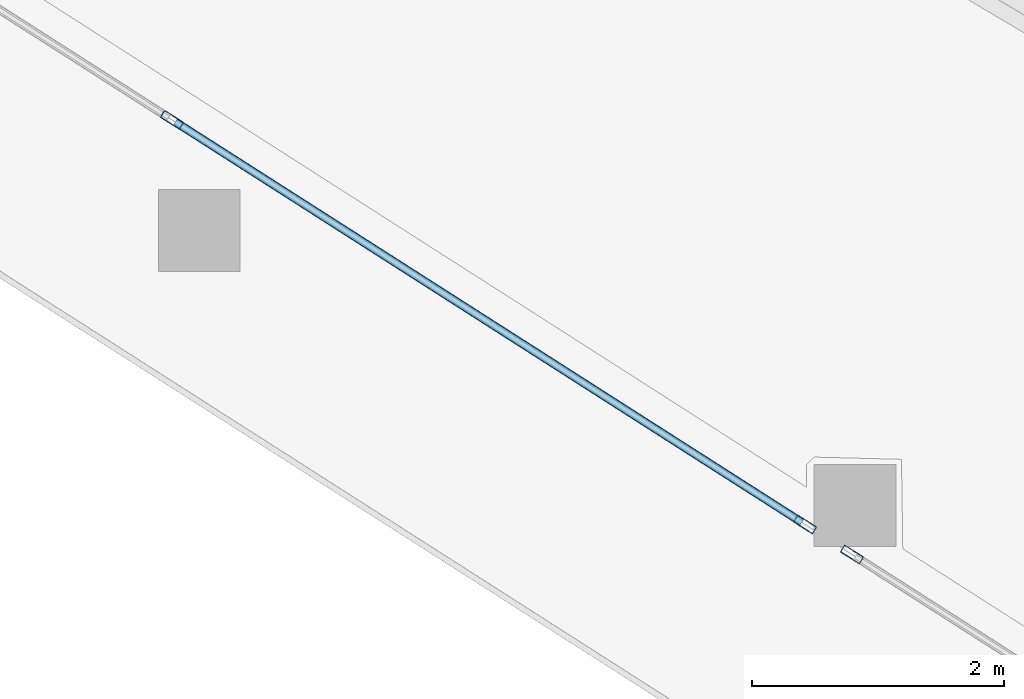
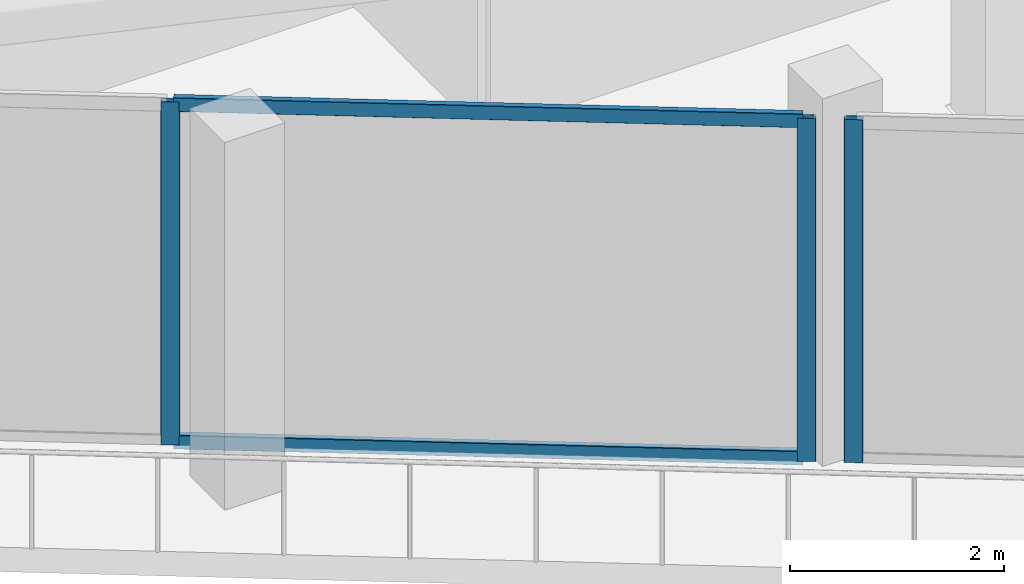
# One storey, part 5 of 43: 5 members, 2 elements without a shape of their own.
"""IFC4 building model written with IfcOpenShell, lengths in metres."""

from ifc_helpers import new_model, si_unit, direction, frame, origin, origin_2d, place, context, subcontext, project, spatial, hollow_rectangle, extrude, material, layer, layer_set, material_profile, profile_set, type_object, element, aggregate, save


model = new_model("IFC4")

# Units and contexts
model_context = context("Model", 3, precision=1e-05, world=origin(), true_north=direction((0.0, 1.0)))
body_context = subcontext(model_context, "Body", "Model", "MODEL_VIEW")
ifc_project = project(units=[si_unit("LENGTHUNIT", "METRE"), si_unit("AREAUNIT", "SQUARE_METRE"), si_unit("VOLUMEUNIT", "CUBIC_METRE"), si_unit("PLANEANGLEUNIT", "RADIAN"), si_unit("MASSUNIT", "GRAM", prefix="KILO")], contexts=[model_context])

# Site, building, storey
site_placement = place(None, origin())
site = spatial("IfcSite", under=ifc_project, at=site_placement, CompositionType="ELEMENT")
building_placement = place(site_placement, origin())
building = spatial("IfcBuilding", under=site, at=building_placement, Name="Qorvath Tower", CompositionType="ELEMENT")
storey_placement = place(building_placement, frame((0.0, 0.0, 36.60009765625)))
storey = spatial("IfcBuildingStorey", under=building, at=storey_placement, Name="L07", CompositionType="ELEMENT", Elevation=36.60009765625)

# Curtain wall, members
ifc_material_1 = material(Name="Anodised aluminium and triple low-E glass", Category="aluminium")
ifc_layer = layer(ifc_material_1, 0.179931640625)
ifc_layer_set = layer_set([ifc_layer], Name="CW-SYS-2")
curtain_wall_type = type_object("IfcCurtainWallType", Name="CW-SYS-2", PredefinedType="NOTDEFINED", material=ifc_layer_set)
curtain_wall_1_placement = place(storey_placement, origin())
curtain_wall_1 = element("IfcCurtainWall", 1, at=curtain_wall_1_placement, inside=storey, type_object=curtain_wall_type, Name="Curtain Wall CW-2 CW-T-L07-2.1", PredefinedType="NOTDEFINED")
ifc_material_2 = material(Name="Anodised aluminium 6063-T6", Category="aluminium")
ifc_material_profile_1 = material_profile(ifc_material_2, hollow_rectangle(XDim=0.06494140625, YDim=0.179931640625, WallThickness=0.00341796875, InnerFilletRadius=0.00341796875, OuterFilletRadius=0.007080078125, at=origin_2d()), Name="CWM 180x65")
ifc_profile_set_1 = profile_set([ifc_material_profile_1], Name="Anodised aluminium 6063-T6")
member_type_1 = type_object("IfcMemberType", Name="CWM-180", PredefinedType="MULLION", material=ifc_profile_set_1)
member_1_placement = place(storey_placement, frame((-45.75244140625, -13.89501953125, 0.0), z_axis=(0.0, 0.0, 1.0), x_axis=(0.538528741164, 0.84260714152, 0.0)))
member_1 = element("IfcMember", 2, at=member_1_placement, type_object=member_type_1, Name="CW-2 mullion 4", PredefinedType="MULLION", context=body_context, shape_type="SweptSolid", body=[
    extrude(hollow_rectangle(XDim=0.06494140625, YDim=0.179931640625, WallThickness=0.00341796875, InnerFilletRadius=0.00341796875, OuterFilletRadius=0.007080078125, at=origin_2d()), origin(), (0.0, 0.0, 1.0), 3.919921875),
])
member_2_placement = place(storey_placement, frame((-40.729736328125, -17.10498046875, 0.0), z_axis=(0.0, 0.0, 1.0), x_axis=(0.538528741164, 0.84260714152, 0.0)))
member_2 = element("IfcMember", 3, at=member_2_placement, type_object=member_type_1, Name="CW-2 mullion 5", PredefinedType="MULLION", context=body_context, shape_type="SweptSolid", body=[
    extrude(hollow_rectangle(XDim=0.06494140625, YDim=0.179931640625, WallThickness=0.00341796875, InnerFilletRadius=0.00341796875, OuterFilletRadius=0.007080078125, at=origin_2d()), origin(), (0.0, 0.0, 1.0), 3.919921875),
])

# Curtain wall, member
curtain_wall_2_placement = place(storey_placement, origin())
curtain_wall_2 = element("IfcCurtainWall", 4, at=curtain_wall_2_placement, inside=storey, type_object=curtain_wall_type, Name="Curtain Wall CW-2 CW-T-L07-2.2", PredefinedType="NOTDEFINED")
member_3_placement = place(storey_placement, frame((-40.357421875, -17.34326171875, 0.0), z_axis=(0.0, 0.0, 1.0), x_axis=(0.538532593363, 0.842604679483, 0.0)))
member_3 = element("IfcMember", 5, at=member_3_placement, type_object=member_type_1, Name="CW-2 mullion 1", PredefinedType="MULLION", context=body_context, shape_type="SweptSolid", body=[
    extrude(hollow_rectangle(XDim=0.06494140625, YDim=0.179931640625, WallThickness=0.00341796875, InnerFilletRadius=0.00341796875, OuterFilletRadius=0.007080078125, at=origin_2d()), origin(), (0.0, 0.0, 1.0), 3.919921875),
])
aggregate(curtain_wall_2, [member_3])

# Member
ifc_material_3 = material(Name="Anodised aluminium 6063-T6", Category="aluminium")
ifc_material_profile_2 = material_profile(ifc_material_3, hollow_rectangle(XDim=0.06494140625, YDim=0.159912109375, WallThickness=0.00341796875, InnerFilletRadius=0.00341796875, OuterFilletRadius=0.007080078125, at=origin_2d()), Name="CWT 160x65")
ifc_profile_set_2 = profile_set([ifc_material_profile_2], Name="Anodised aluminium 6063-T6")
member_type_2 = type_object("IfcMemberType", Name="CWT-160", PredefinedType="USERDEFINED", material=ifc_profile_set_2)
member_4_placement = place(storey_placement, frame((-45.72509765625, -13.91259765625, 0.032470703125), z_axis=(0.84261640637, -0.538514244673, 0.0), x_axis=(0.538514244673, 0.84261640637, 0.0)))
member_4 = element("IfcMember", 6, at=member_4_placement, type_object=member_type_2, Name="CW-2 transom 4.1", ObjectType="TRANSOM", PredefinedType="USERDEFINED", context=body_context, shape_type="SweptSolid", body=[
    extrude(hollow_rectangle(XDim=0.06494140625, YDim=0.159912109375, WallThickness=0.00341796875, InnerFilletRadius=0.00341796875, OuterFilletRadius=0.007080078125, at=origin_2d()), origin(), (0.0, 0.0, 1.0), 5.89599609375),
])

member_5_placement = place(storey_placement, frame((-45.72509765625, -13.91259765625, 3.887451171875), z_axis=(0.84261640637, -0.538514244673, 0.0), x_axis=(0.538514244673, 0.84261640637, 0.0)))
member_5 = element("IfcMember", 7, at=member_5_placement, type_object=member_type_2, Name="CW-2 transom 4.2", ObjectType="TRANSOM", PredefinedType="USERDEFINED", context=body_context, shape_type="SweptSolid", body=[
    extrude(hollow_rectangle(XDim=0.06494140625, YDim=0.159912109375, WallThickness=0.00341796875, InnerFilletRadius=0.00341796875, OuterFilletRadius=0.007080078125, at=origin_2d()), origin(), (0.0, 0.0, 1.0), 5.89599609375),
])

aggregate(curtain_wall_1, [member_1, member_2, member_4, member_5])

save(model, "model.ifc")
